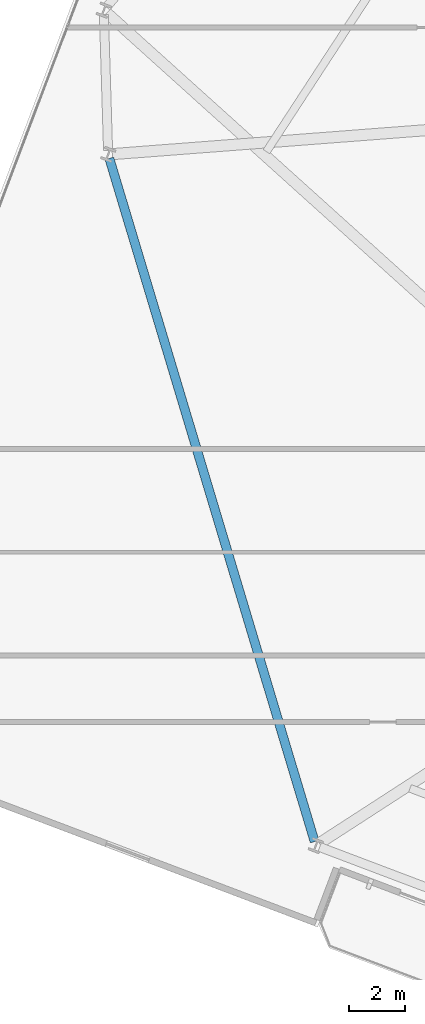
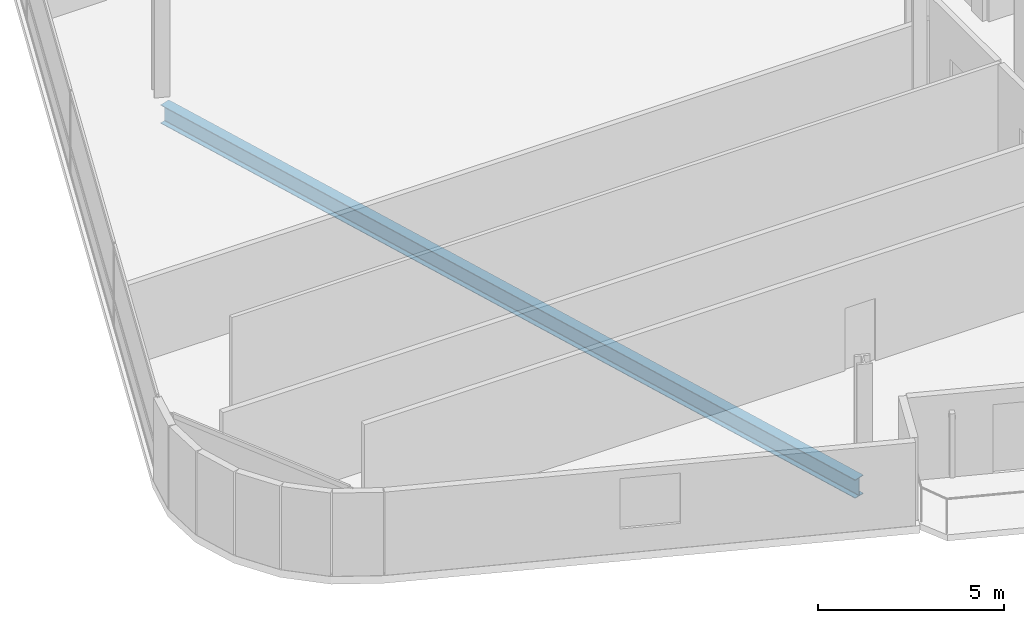
# One storey, part 5 of 25: 1 beam.
"""IFC4 building model written with IfcOpenShell, lengths in metres."""

from ifc_helpers import new_model, si_unit, direction, frame, origin, origin_2d, place, context, subcontext, project, spatial, i_section, extrude, material, material_profile, profile_set, type_object, element, save


model = new_model("IFC4")

# Units and contexts
model_context = context("Model", 3, precision=1e-05, world=origin(), true_north=direction((0.0, 1.0)))
body_context = subcontext(model_context, "Body", "Model", "MODEL_VIEW")
ifc_project = project(units=[si_unit("LENGTHUNIT", "METRE"), si_unit("AREAUNIT", "SQUARE_METRE"), si_unit("VOLUMEUNIT", "CUBIC_METRE"), si_unit("PLANEANGLEUNIT", "RADIAN"), si_unit("MASSUNIT", "GRAM", prefix="KILO")], contexts=[model_context])

# Site, building, storey
site_placement = place(None, origin())
site = spatial("IfcSite", under=ifc_project, at=site_placement, CompositionType="ELEMENT")
building_placement = place(site_placement, origin())
building = spatial("IfcBuilding", under=site, at=building_placement, Name="Varnelok Gate Tower", CompositionType="ELEMENT")
storey_placement = place(building_placement, frame((0.0, 0.0, 105.800048828125)))
storey = spatial("IfcBuildingStorey", under=building, at=storey_placement, Name="L26", CompositionType="ELEMENT", Elevation=105.800048828125)

# Beam
ifc_material = material(Name="Structural Steel ASTM A992 Grade 50", Category="steel")
ifc_material_profile = material_profile(ifc_material, i_section(OverallWidth=0.323974609375, OverallDepth=0.611083984375, WebThickness=0.0126953125, FlangeThickness=0.01904296875, FilletRadius=0.01806640625, at=origin_2d()), Name="W24X104")
ifc_profile_set = profile_set([ifc_material_profile], Name="Structural Steel ASTM A992 Grade 50")
beam_type = type_object("IfcBeamType", Name="BM-SPN-W24X104", PredefinedType="SPANDREL", material=ifc_profile_set)
beam_placement = place(storey_placement, frame((7.124267578125, 37.102294921875, -0.5556640625), z_axis=(0.287734186054, -0.957710310154, 0.0), x_axis=(0.957710310154, 0.287734186054, 0.0)))
element("IfcBeam", 1, at=beam_placement, inside=storey, type_object=beam_type, Name="L26 Perimeter Spandrel Beam 16", PredefinedType="SPANDREL", context=body_context, shape_type="SweptSolid", body=[
    extrude(i_section(OverallWidth=0.323974609375, OverallDepth=0.611083984375, WebThickness=0.0126953125, FlangeThickness=0.01904296875, FilletRadius=0.01806640625, at=origin_2d()), origin(), (0.0, 0.0, 1.0), 25.626220703125),
])

save(model, "model.ifc")
